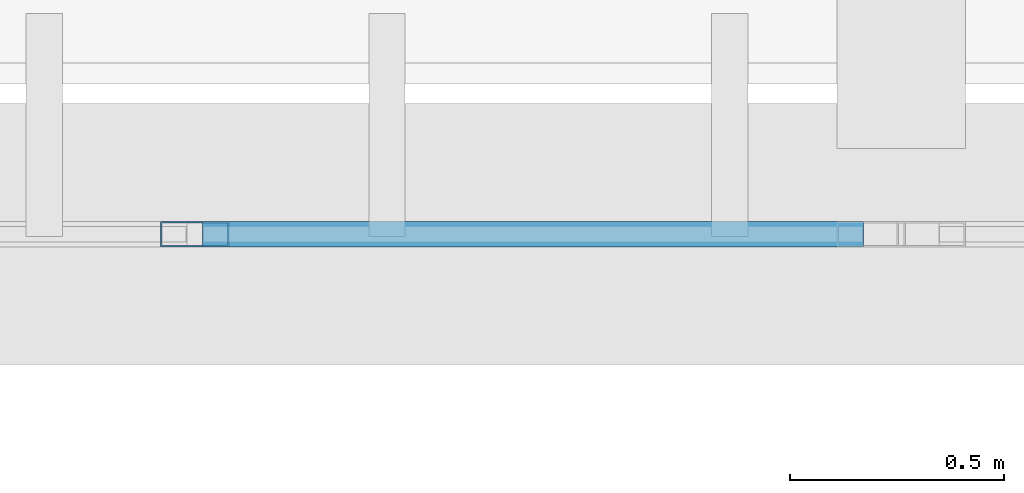
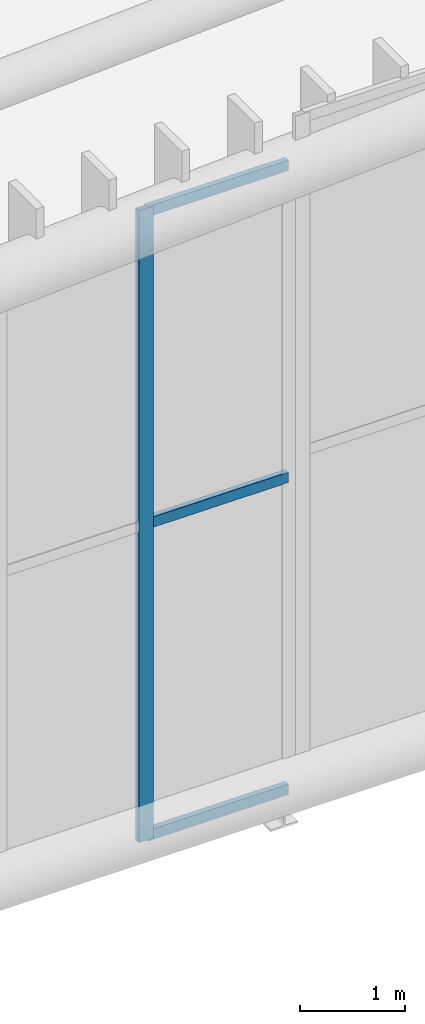
# One storey, part 260 of 397: 4 members, 1 element without a shape of its own.
"""IFC4 building model written with IfcOpenShell, lengths in metres."""

from ifc_helpers import new_model, si_unit, direction, frame, origin, origin_2d, place, context, subcontext, project, spatial, hollow_rectangle, extrude, material, material_profile, profile_set, type_object, element, aggregate, save


model = new_model("IFC4")

# Units and contexts
model_context = context("Model", 3, precision=1e-05, world=origin(), true_north=direction((0.0, 1.0)))
body_context = subcontext(model_context, "Body", "Model", "MODEL_VIEW")
ifc_project = project(units=[si_unit("LENGTHUNIT", "METRE"), si_unit("AREAUNIT", "SQUARE_METRE"), si_unit("VOLUMEUNIT", "CUBIC_METRE"), si_unit("PLANEANGLEUNIT", "RADIAN"), si_unit("MASSUNIT", "GRAM", prefix="KILO")], contexts=[model_context])

# Site, building, storey
site_placement = place(None, origin())
site = spatial("IfcSite", under=ifc_project, at=site_placement, CompositionType="ELEMENT")
building_placement = place(site_placement, origin())
building = spatial("IfcBuilding", under=site, at=building_placement, Name="Qandorah Velis Arena", CompositionType="ELEMENT")
storey_placement = place(building_placement, frame((0.0, 0.0, 27.5)))
storey = spatial("IfcBuildingStorey", under=building, at=storey_placement, Name="RF", CompositionType="ELEMENT", Elevation=27.5)

# Curtain wall, members
ifc_material_1 = material(Name="Solar-control low-E double glazing", Category="glass")
curtain_wall_type = type_object("IfcCurtainWallType", Name="ARC-CW-SYS03", PredefinedType="USERDEFINED", material=ifc_material_1)
curtain_wall_placement = place(storey_placement, origin())
curtain_wall = element("IfcCurtainWall", 1, at=curtain_wall_placement, inside=storey, type_object=curtain_wall_type, Name="Unitised curtain wall CROWN-4-03S1", ObjectType="UNITISED CURTAIN WALL", PredefinedType="USERDEFINED")
ifc_material_2 = material(Name="Champagne-bronze anodized aluminium 6063-T6", Category="aluminium")
ifc_material_profile_1 = material_profile(ifc_material_2, hollow_rectangle(XDim=0.06005859375, YDim=0.159912109375, WallThickness=0.00341796875, at=origin_2d()), Name="ALU MULLION 60x160")
ifc_profile_set_1 = profile_set([ifc_material_profile_1], Name="Champagne-bronze anodized aluminium 6063-T6")
member_type_1 = type_object("IfcMemberType", Name="ARC-CWM-160", PredefinedType="MULLION", material=ifc_profile_set_1)
member_1_placement = place(storey_placement, frame((48.751220703125, 115.199951171875, -0.014892578125), z_axis=(0.0, 0.0, 1.0), x_axis=(0.0, 1.0, 0.0)))
member_1 = element("IfcMember", 2, at=member_1_placement, type_object=member_type_1, Name="CW03 mullion 4", PredefinedType="MULLION", context=body_context, shape_type="SweptSolid", body=[
    extrude(hollow_rectangle(XDim=0.06005859375, YDim=0.159912109375, WallThickness=0.00341796875, at=origin_2d()), origin(), (0.0, 0.0, 1.0), 7.32958984375),
])
ifc_material_profile_2 = material_profile(ifc_material_2, hollow_rectangle(XDim=0.06005859375, YDim=0.1201171875, WallThickness=0.0029296875, at=origin_2d()), Name="ALU TRANSOM 60x120")
ifc_profile_set_2 = profile_set([ifc_material_profile_2], Name="Champagne-bronze anodized aluminium 6063-T6")
member_type_2 = type_object("IfcMemberType", Name="ARC-CWT-120", PredefinedType="USERDEFINED", material=ifc_profile_set_2)
member_2_placement = place(storey_placement, frame((48.769287109375, 115.199951171875, 0.030029296875), z_axis=(1.0, 0.0, 0.0), x_axis=(0.0, 1.0, 0.0)))
member_2 = element("IfcMember", 3, at=member_2_placement, type_object=member_type_2, Name="CW03 transom 4.1", ObjectType="TRANSOM", PredefinedType="USERDEFINED", context=body_context, shape_type="SweptSolid", body=[
    extrude(hollow_rectangle(XDim=0.06005859375, YDim=0.1201171875, WallThickness=0.0029296875, at=origin_2d()), origin(), (0.0, 0.0, 1.0), 1.542724609375),
])
member_3_placement = place(storey_placement, frame((48.769287109375, 115.199951171875, 3.64990234375), z_axis=(1.0, 0.0, 0.0), x_axis=(0.0, 1.0, 0.0)))
member_3 = element("IfcMember", 4, at=member_3_placement, type_object=member_type_2, Name="CW03 transom 4.2", ObjectType="TRANSOM", PredefinedType="USERDEFINED", context=body_context, shape_type="SweptSolid", body=[
    extrude(hollow_rectangle(XDim=0.06005859375, YDim=0.1201171875, WallThickness=0.0029296875, at=origin_2d()), origin(), (0.0, 0.0, 1.0), 1.542724609375),
])
member_4_placement = place(storey_placement, frame((48.769287109375, 115.199951171875, 7.269775390625), z_axis=(1.0, 0.0, 0.0), x_axis=(0.0, 1.0, 0.0)))
member_4 = element("IfcMember", 5, at=member_4_placement, type_object=member_type_2, Name="CW03 transom 4.3", ObjectType="TRANSOM", PredefinedType="USERDEFINED", context=body_context, shape_type="SweptSolid", body=[
    extrude(hollow_rectangle(XDim=0.06005859375, YDim=0.1201171875, WallThickness=0.0029296875, at=origin_2d()), origin(), (0.0, 0.0, 1.0), 1.542724609375),
])
aggregate(curtain_wall, [member_1, member_2, member_3, member_4])

save(model, "model.ifc")
